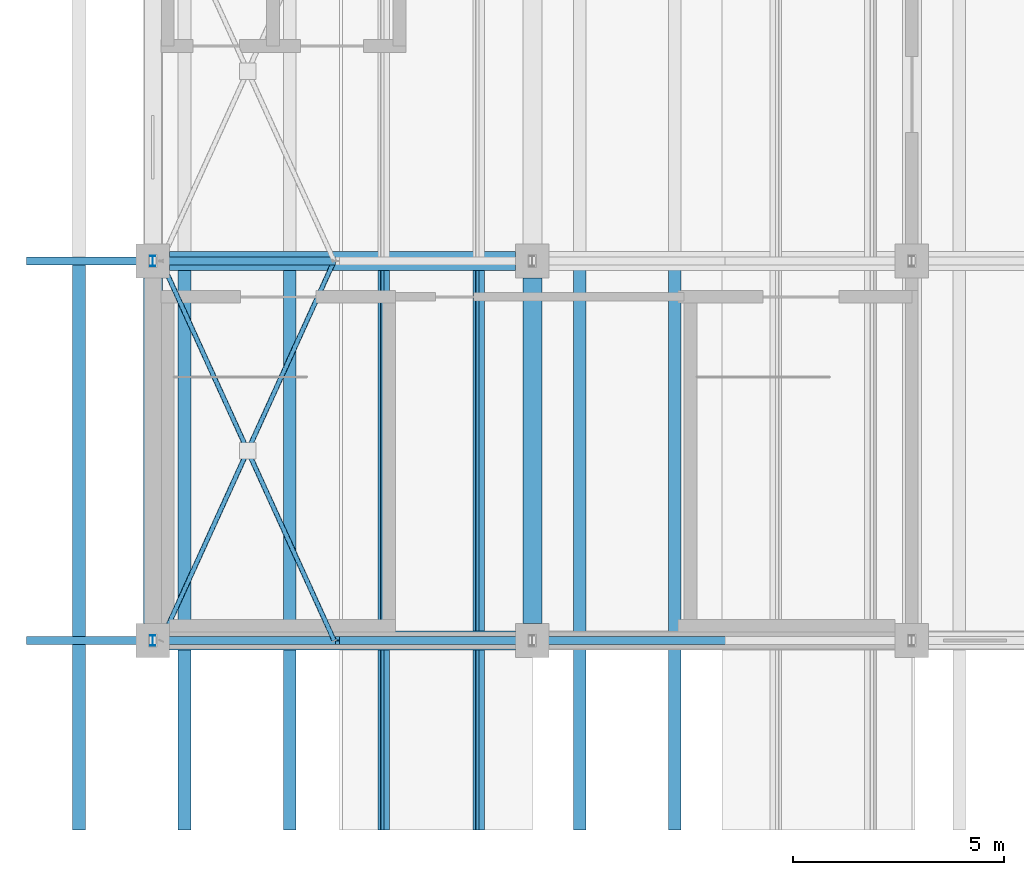
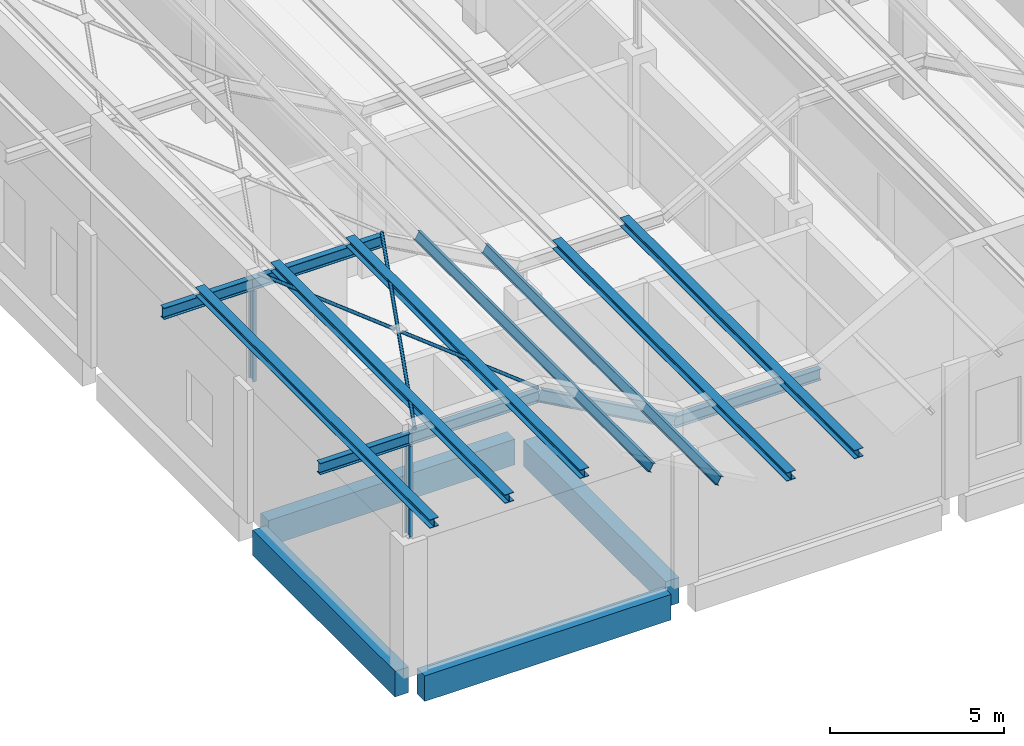
# One storey, part 11 of 437: 18 members, 4 beams.
"""IFC4 building model written with IfcOpenShell, lengths in metres."""

from ifc_helpers import new_model, si_unit, direction, frame, origin, origin_2d, place, context, subcontext, project, spatial, rectangle, hollow_circle, i_section, extrude, material, material_profile, profile_set, type_object, element, save


model = new_model("IFC4")

# Units and contexts
model_context = context("Model", 3, precision=1e-05, world=origin(), true_north=direction((0.0, 1.0)))
body_context = subcontext(model_context, "Body", "Model", "MODEL_VIEW")
ifc_project = project(units=[si_unit("LENGTHUNIT", "METRE"), si_unit("AREAUNIT", "SQUARE_METRE"), si_unit("VOLUMEUNIT", "CUBIC_METRE"), si_unit("PLANEANGLEUNIT", "RADIAN"), si_unit("MASSUNIT", "GRAM", prefix="KILO")], contexts=[model_context])

# Site, building, storey
site_placement = place(None, origin())
site = spatial("IfcSite", under=ifc_project, at=site_placement, CompositionType="ELEMENT")
building_placement = place(site_placement, origin())
building = spatial("IfcBuilding", under=site, at=building_placement, Name="Opaline Strait Convention Centre", CompositionType="ELEMENT")
storey_placement = place(building_placement, frame((0.0, 0.0, 11.5)))
storey = spatial("IfcBuildingStorey", under=building, at=storey_placement, Name="L02", CompositionType="ELEMENT", Elevation=11.5)

# Members
ifc_material_1 = material(Name="Steel Q355B", Category="steel")
ifc_material_profile_1 = material_profile(ifc_material_1, i_section(OverallWidth=0.300048828125, OverallDepth=0.300048828125, WebThickness=0.010009765625, FlangeThickness=0.014892578125, FilletRadius=0.012939453125, at=origin_2d()), Name="HW 300x300x10x15")
ifc_profile_set_1 = profile_set([ifc_material_profile_1], Name="Steel Q355B")
member_type_1 = type_object("IfcMemberType", Name="Crest purlin HW 300x300x10x15", PredefinedType="PURLIN", material=ifc_profile_set_1)
for number, where, z_axis, x_axis, name in (
    (1, (7.25, 4.5, 8.449951171875), (0.0, 1.0, 0.0), (-1.0, 0.0, 0.0), "RU1 purlin facet 1 line 1"),
    (2, (9.75, 4.5, 8.449951171875), (0.0, 1.0, 0.0), (-1.0, 0.0, 0.0), "RU1 purlin facet 1 line 2"),
    (3, (12.25, 4.5, 8.449951171875), (0.0, 1.0, 0.0), (-1.0, 0.0, 0.0), "RU1 purlin facet 1 line 3"),
    (4, (19.125, 4.5, 5.949951171875), (0.0, 1.0, 0.0), (-1.0, 0.0, 0.0), "RU1 purlin facet 3 line 1"),
    (5, (21.375, 4.5, 5.949951171875), (0.0, 1.0, 0.0), (-1.0, 0.0, 0.0), "RU1 purlin facet 3 line 2"),
):
    element("IfcMember", number, at=place(storey_placement, frame(where, z_axis=z_axis, x_axis=x_axis)), inside=storey, type_object=member_type_1, Name=name, PredefinedType="PURLIN", context=body_context, shape_type="SweptSolid", body=[
        extrude(i_section(OverallWidth=0.300048828125, OverallDepth=0.300048828125, WebThickness=0.010009765625, FlangeThickness=0.014892578125, FilletRadius=0.012939453125, at=origin_2d()), origin(), (0.0, 0.0, 1.0), 13.5),
    ])

# Beams
ifc_material_2 = material(Name="Concrete C35", Category="concrete")
ifc_material_profile_2 = material_profile(ifc_material_2, rectangle(XDim=0.449951171875, YDim=0.89990234375, at=origin_2d()), Name="RC 450x900")
ifc_profile_set_2 = profile_set([ifc_material_profile_2], Name="Concrete C35")
beam_type = type_object("IfcBeamType", Name="RC beam 450x900 C35", PredefinedType="BEAM", material=ifc_profile_set_2)
for number, where, z_axis, x_axis, name in (
    (6, (9.39990234375, 9.0, -0.72998046875), (1.0, 0.0, 0.0), (0.0, 1.0, 0.0), "XB1 L02 9/9-18/9"),
    (7, (9.39990234375, 18.0, -0.72998046875), (1.0, 0.0, 0.0), (0.0, 1.0, 0.0), "XB1 L02 9/18-18/18"),
    (8, (9.0, 9.39990234375, -0.72998046875), (0.0, 1.0, 0.0), (-1.0, 0.0, 0.0), "XB1 L02 9/9-9/18"),
    (9, (18.0, 9.39990234375, -0.72998046875), (0.0, 1.0, 0.0), (-1.0, 0.0, 0.0), "XB1 L02 18/9-18/18"),
):
    element("IfcBeam", number, at=place(storey_placement, frame(where, z_axis=z_axis, x_axis=x_axis)), inside=storey, type_object=beam_type, Name=name, PredefinedType="BEAM", context=body_context, shape_type="SweptSolid", body=[
        extrude(rectangle(XDim=0.449951171875, YDim=0.89990234375, at=origin_2d()), origin(), (0.0, 0.0, 1.0), 8.2001953125),
    ])

# Members
ifc_material_profile_3 = material_profile(ifc_material_1, hollow_circle(Radius=0.056884765625, WallThickness=0.006103515625, at=origin_2d()), Name="CHS 114x6")
ifc_profile_set_3 = profile_set([ifc_material_profile_3], Name="Steel Q355B")
member_type_2 = type_object("IfcMemberType", Name="Roof bracing CHS 114x6", PredefinedType="BRACE", material=ifc_profile_set_3)
member_1_placement = place(storey_placement, frame((9.199951171875, 9.0, 8.35693359375), z_axis=(0.414572789354, 0.910016154981, 0.0), x_axis=(-0.910016154981, 0.414572789354, 0.0)))
element("IfcMember", 10, at=member_1_placement, inside=storey, type_object=member_type_2, Name="RX1 roof brace bay 1 at 9", PredefinedType="BRACE", context=body_context, shape_type="SweptSolid", body=[
    extrude(hollow_circle(Radius=0.056884765625, WallThickness=0.006103515625, at=origin_2d()), origin(), (0.0, 0.0, 1.0), 9.889892578125),
])
for number, where, z_axis, x_axis, name in (
    (11, (13.300048828125, 9.0, 8.35693359375), (-0.414570207506, 0.91001733118, 0.0), (-0.91001733118, -0.414570207506, 0.0), "RX1 roof brace bay 1 at 9"),
    (12, (11.197265625, 13.61572265625, 8.35693359375), (-0.414570207506, 0.91001733118, 0.0), (-0.91001733118, -0.414570207506, 0.0), "RX1 roof brace bay 1 at 9"),
):
    element("IfcMember", number, at=place(storey_placement, frame(where, z_axis=z_axis, x_axis=x_axis)), inside=storey, type_object=member_type_2, Name=name, PredefinedType="BRACE", context=body_context, shape_type="SweptSolid", body=[
        extrude(hollow_circle(Radius=0.056884765625, WallThickness=0.006103515625, at=origin_2d()), origin(), (0.0, 0.0, 1.0), 4.81787109375),
    ])
ifc_material_profile_4 = material_profile(ifc_material_1, i_section(OverallWidth=0.125, OverallDepth=0.25, WebThickness=0.006103515625, FlangeThickness=0.009033203125, FilletRadius=0.008056640625, at=origin_2d()), Name="HN 250x125x6x9")
ifc_profile_set_4 = profile_set([ifc_material_profile_4], Name="Steel Q355B")
member_type_3 = type_object("IfcMemberType", Name="Roof post HN 250x125x6x9", PredefinedType="STRUT", material=ifc_profile_set_4)
for number, where, z_axis, x_axis, name in (
    (13, (9.0, 9.0, 4.68994140625), (0.0, 0.0, 1.0), (1.0, 0.0, 0.0), "RP1 roof post at 9/9"),
    (14, (9.0, 18.0, 4.68994140625), (0.0, 0.0, 1.0), (1.0, 0.0, 0.0), "RP1 roof post at 9/18"),
):
    element("IfcMember", number, at=place(storey_placement, frame(where, z_axis=z_axis, x_axis=x_axis)), inside=storey, type_object=member_type_3, Name=name, PredefinedType="STRUT", context=body_context, shape_type="SweptSolid", body=[
        extrude(i_section(OverallWidth=0.125, OverallDepth=0.25, WebThickness=0.006103515625, FlangeThickness=0.009033203125, FilletRadius=0.008056640625, at=origin_2d()), origin(), (0.0, 0.0, 1.0), 3.195068359375),
    ])
ifc_material_profile_5 = material_profile(ifc_material_1, i_section(OverallWidth=0.14990234375, OverallDepth=0.300048828125, WebThickness=0.006591796875, FlangeThickness=0.009033203125, FilletRadius=0.012939453125, at=origin_2d()), Name="HN 300x150x6.5x9")
ifc_profile_set_5 = profile_set([ifc_material_profile_5], Name="Steel Q355B")
member_type_4 = type_object("IfcMemberType", Name="Roof purlin HN 300x150x6.5x9", PredefinedType="PURLIN", material=ifc_profile_set_5)
for number, where, z_axis, x_axis, name in (
    (15, (14.479248046875, 4.5, 7.86279296875), (0.0, 1.0, 0.0), (-0.874157310866, 0.0, 0.485642868639), "RU1 purlin facet 2 line 1"),
    (16, (16.729248046875, 4.5, 6.61279296875), (0.0, 1.0, 0.0), (-0.874157310866, 0.0, 0.485642868639), "RU1 purlin facet 2 line 2"),
):
    element("IfcMember", number, at=place(storey_placement, frame(where, z_axis=z_axis, x_axis=x_axis)), inside=storey, type_object=member_type_4, Name=name, PredefinedType="PURLIN", context=body_context, shape_type="SweptSolid", body=[
        extrude(i_section(OverallWidth=0.14990234375, OverallDepth=0.300048828125, WebThickness=0.006591796875, FlangeThickness=0.009033203125, FilletRadius=0.012939453125, at=origin_2d()), origin(), (0.0, 0.0, 1.0), 13.5),
    ])
ifc_material_profile_6 = material_profile(ifc_material_1, i_section(OverallWidth=0.199951171875, OverallDepth=0.39990234375, WebThickness=0.008056640625, FlangeThickness=0.012939453125, FilletRadius=0.012939453125, at=origin_2d()), Name="HN 400x200x8x13")
ifc_profile_set_6 = profile_set([ifc_material_profile_6], Name="Steel Q355B")
member_type_5 = type_object("IfcMemberType", Name="Roof rafter HN 400x200x8x13", PredefinedType="RAFTER", material=ifc_profile_set_6)
member_2_placement = place(storey_placement, frame((6.0, 9.0, 8.10009765625), z_axis=(1.0, 0.0, 0.0), x_axis=(0.0, 1.0, 0.0)))
element("IfcMember", 17, at=member_2_placement, inside=storey, type_object=member_type_5, Name="RR1 rafter line 1 facet 1", PredefinedType="RAFTER", context=body_context, shape_type="SweptSolid", body=[
    extrude(i_section(OverallWidth=0.199951171875, OverallDepth=0.39990234375, WebThickness=0.008056640625, FlangeThickness=0.012939453125, FilletRadius=0.012939453125, at=origin_2d()), origin(), (0.0, 0.0, 1.0), 3.0),
])
member_3_placement = place(storey_placement, frame((9.0, 9.0, 8.10009765625), z_axis=(1.0, 0.0, 0.0), x_axis=(0.0, 1.0, 0.0)))
element("IfcMember", 18, at=member_3_placement, inside=storey, type_object=member_type_5, Name="RR1 rafter line 1 facet 2", PredefinedType="RAFTER", context=body_context, shape_type="SweptSolid", body=[
    extrude(i_section(OverallWidth=0.199951171875, OverallDepth=0.39990234375, WebThickness=0.008056640625, FlangeThickness=0.012939453125, FilletRadius=0.012939453125, at=origin_2d()), origin(), (0.0, 0.0, 1.0), 4.33154296875),
])
member_4_placement = place(storey_placement, frame((13.33154296875, 9.0, 8.10009765625), z_axis=(0.874157276122, 0.0, -0.485642931179), x_axis=(0.0, 1.0, 0.0)))
element("IfcMember", 19, at=member_4_placement, inside=storey, type_object=member_type_5, Name="RR1 rafter line 1 facet 3", PredefinedType="RAFTER", context=body_context, shape_type="SweptSolid", body=[
    extrude(i_section(OverallWidth=0.199951171875, OverallDepth=0.39990234375, WebThickness=0.008056640625, FlangeThickness=0.012939453125, FilletRadius=0.012939453125, at=origin_2d()), origin(), (0.0, 0.0, 1.0), 5.147705078125),
])
member_5_placement = place(storey_placement, frame((17.83154296875, 9.0, 5.60009765625), z_axis=(1.0, 0.0, 0.0), x_axis=(0.0, 1.0, 0.0)))
element("IfcMember", 20, at=member_5_placement, inside=storey, type_object=member_type_5, Name="RR1 rafter line 1 facet 4", PredefinedType="RAFTER", context=body_context, shape_type="SweptSolid", body=[
    extrude(i_section(OverallWidth=0.199951171875, OverallDepth=0.39990234375, WebThickness=0.008056640625, FlangeThickness=0.012939453125, FilletRadius=0.012939453125, at=origin_2d()), origin(), (0.0, 0.0, 1.0), 4.8369140625),
])
member_6_placement = place(storey_placement, frame((6.0, 18.0, 8.10009765625), z_axis=(1.0, 0.0, 0.0), x_axis=(0.0, 1.0, 0.0)))
element("IfcMember", 21, at=member_6_placement, inside=storey, type_object=member_type_5, Name="RR1 rafter line 2 facet 1", PredefinedType="RAFTER", context=body_context, shape_type="SweptSolid", body=[
    extrude(i_section(OverallWidth=0.199951171875, OverallDepth=0.39990234375, WebThickness=0.008056640625, FlangeThickness=0.012939453125, FilletRadius=0.012939453125, at=origin_2d()), origin(), (0.0, 0.0, 1.0), 3.0),
])
member_7_placement = place(storey_placement, frame((9.0, 18.0, 8.10009765625), z_axis=(1.0, 0.0, 0.0), x_axis=(0.0, 1.0, 0.0)))
element("IfcMember", 22, at=member_7_placement, inside=storey, type_object=member_type_5, Name="RR1 rafter line 2 facet 2", PredefinedType="RAFTER", context=body_context, shape_type="SweptSolid", body=[
    extrude(i_section(OverallWidth=0.199951171875, OverallDepth=0.39990234375, WebThickness=0.008056640625, FlangeThickness=0.012939453125, FilletRadius=0.012939453125, at=origin_2d()), origin(), (0.0, 0.0, 1.0), 4.33154296875),
])

save(model, "model.ifc")
